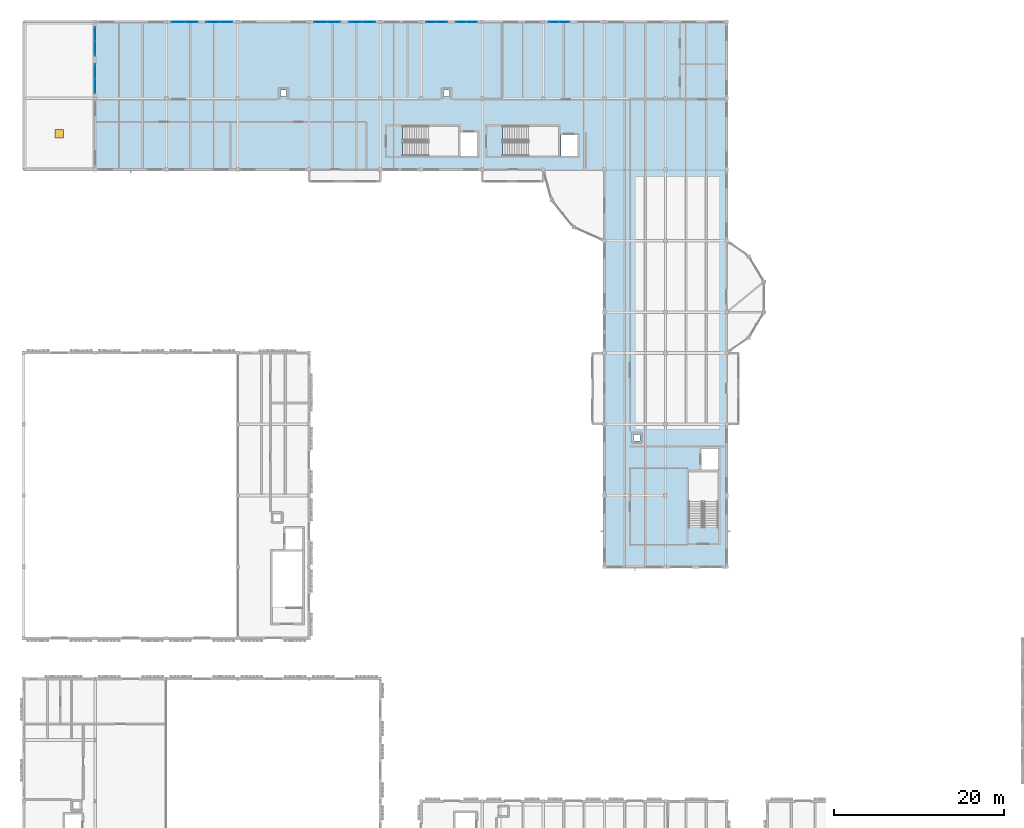
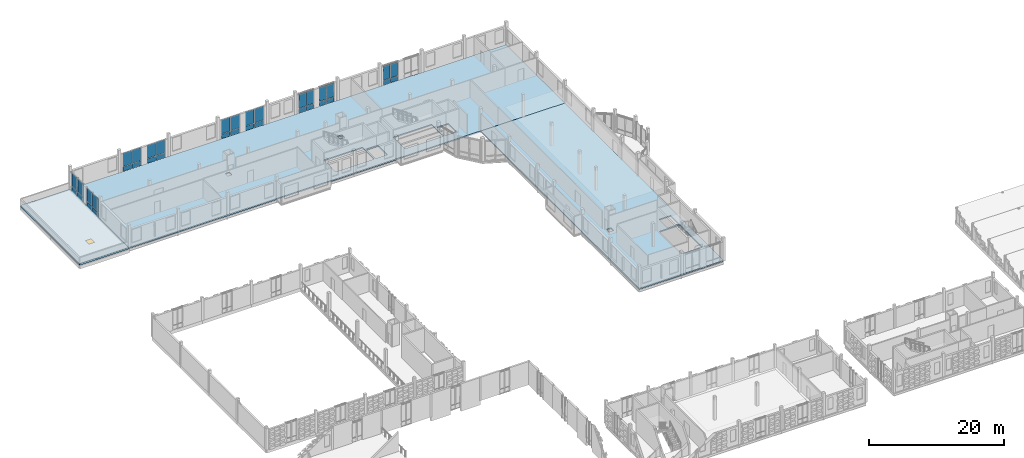
# One storey, part 39 of 81: 36 plates, 3 slabs, 1 door, 1 opening, 9 elements without a shape of their own.
"""IFC4 building model written with IfcOpenShell, lengths in metres."""

from ifc_helpers import new_model, si_unit, direction, frame, origin, origin_2d, place, context, subcontext, project, spatial, polyline, rectangle, outline, extrude, material, layer, layer_set, type_object, element, fill, aggregate, save


model = new_model("IFC4")

# Units and contexts
model_context = context("Model", 3, precision=1e-05, world=origin(), true_north=direction((0.0, 1.0)))
body_context = subcontext(model_context, "Body", "Model", "MODEL_VIEW")
ifc_project = project(units=[si_unit("LENGTHUNIT", "METRE"), si_unit("AREAUNIT", "SQUARE_METRE"), si_unit("VOLUMEUNIT", "CUBIC_METRE"), si_unit("PLANEANGLEUNIT", "RADIAN"), si_unit("MASSUNIT", "GRAM", prefix="KILO")], contexts=[model_context])

# Site, building, storey
site_placement = place(None, origin())
site = spatial("IfcSite", under=ifc_project, at=site_placement, CompositionType="ELEMENT")
building_placement = place(site_placement, origin())
building = spatial("IfcBuilding", under=site, at=building_placement, Name="Kahlenmark Community Centre", CompositionType="ELEMENT")
storey_placement = place(building_placement, frame((0.0, 0.0, 9.60009765625)))
storey = spatial("IfcBuildingStorey", under=building, at=storey_placement, Name="L02", CompositionType="ELEMENT", Elevation=9.60009765625)

# Curtain wall, plates
ifc_material_1 = material(Name="Anodised aluminium unitised curtain wall", Category="aluminium")
curtain_wall_type_1 = type_object("IfcCurtainWallType", Name="CWT-UNIT-254X345", PredefinedType="USERDEFINED", material=ifc_material_1)
curtain_wall_1_placement = place(storey_placement, origin())
curtain_wall_1 = element("IfcCurtainWall", 1, at=curtain_wall_1_placement, inside=storey, type_object=curtain_wall_type_1, Name="Unitised curtain wall CW-093", ObjectType="UNITISED CURTAIN WALL", PredefinedType="USERDEFINED")
ifc_material_2 = material(Name="Triple low-e solar-control glass unit", Category="glass")
ifc_layer_1 = layer(ifc_material_2, 0.0439453125)
ifc_layer_set_1 = layer_set([ifc_layer_1], Name="Triple low-e solar-control glass unit")
plate_type_1 = type_object("IfcPlateType", Name="PLT-CW-GLZ-1190X2520", PredefinedType="CURTAIN_PANEL", material=ifc_layer_set_1)
plate_1_placement = place(storey_placement, frame((56.784912109375, 115.0, 0.889892578125), z_axis=(0.0, 0.0, 1.0), x_axis=(-1.0, 0.0, 0.0)))
plate_1 = element("IfcPlate", 2, at=plate_1_placement, type_object=plate_type_1, Name="CW-093 glazed panel 1", PredefinedType="CURTAIN_PANEL", context=body_context, shape_type="SweptSolid", body=[
    extrude(rectangle(XDim=1.18994140625, YDim=0.0439453125, at=origin_2d()), origin(), (0.0, 0.0, 1.0), 2.52001953125),
])
plate_2_placement = place(storey_placement, frame((55.514892578125, 115.0, 0.889892578125), z_axis=(0.0, 0.0, 1.0), x_axis=(-1.0, 0.0, 0.0)))
plate_2 = element("IfcPlate", 3, at=plate_2_placement, type_object=plate_type_1, Name="CW-093 glazed panel 2", PredefinedType="CURTAIN_PANEL", context=body_context, shape_type="SweptSolid", body=[
    extrude(rectangle(XDim=1.18994140625, YDim=0.0439453125, at=origin_2d()), origin(), (0.0, 0.0, 1.0), 2.52001953125),
])

curtain_wall_2_placement = place(storey_placement, origin())
curtain_wall_2 = element("IfcCurtainWall", 4, at=curtain_wall_2_placement, inside=storey, type_object=curtain_wall_type_1, Name="Unitised curtain wall CW-094", ObjectType="UNITISED CURTAIN WALL", PredefinedType="USERDEFINED")
plate_3_placement = place(storey_placement, frame((53.284912109375, 115.0, 0.889892578125), z_axis=(0.0, 0.0, 1.0), x_axis=(-1.0, 0.0, 0.0)))
plate_3 = element("IfcPlate", 5, at=plate_3_placement, type_object=plate_type_1, Name="CW-094 glazed panel 1", PredefinedType="CURTAIN_PANEL", context=body_context, shape_type="SweptSolid", body=[
    extrude(rectangle(XDim=1.18994140625, YDim=0.0439453125, at=origin_2d()), origin(), (0.0, 0.0, 1.0), 2.52001953125),
])
plate_4_placement = place(storey_placement, frame((52.014892578125, 115.0, 0.889892578125), z_axis=(0.0, 0.0, 1.0), x_axis=(-1.0, 0.0, 0.0)))
plate_4 = element("IfcPlate", 6, at=plate_4_placement, type_object=plate_type_1, Name="CW-094 glazed panel 2", PredefinedType="CURTAIN_PANEL", context=body_context, shape_type="SweptSolid", body=[
    extrude(rectangle(XDim=1.18994140625, YDim=0.0439453125, at=origin_2d()), origin(), (0.0, 0.0, 1.0), 2.52001953125),
])

curtain_wall_3_placement = place(storey_placement, origin())
curtain_wall_3 = element("IfcCurtainWall", 7, at=curtain_wall_3_placement, inside=storey, type_object=curtain_wall_type_1, Name="Unitised curtain wall CW-096", ObjectType="UNITISED CURTAIN WALL", PredefinedType="USERDEFINED")
plate_5_placement = place(storey_placement, frame((67.68505859375, 115.0, 0.889892578125), z_axis=(0.0, 0.0, 1.0), x_axis=(-1.0, 0.0, 0.0)))
plate_5 = element("IfcPlate", 8, at=plate_5_placement, type_object=plate_type_1, Name="CW-096 glazed panel 1", PredefinedType="CURTAIN_PANEL", context=body_context, shape_type="SweptSolid", body=[
    extrude(rectangle(XDim=1.18994140625, YDim=0.0439453125, at=origin_2d()), origin(), (0.0, 0.0, 1.0), 2.52001953125),
])
plate_6_placement = place(storey_placement, frame((66.4150390625, 115.0, 0.889892578125), z_axis=(0.0, 0.0, 1.0), x_axis=(-1.0, 0.0, 0.0)))
plate_6 = element("IfcPlate", 9, at=plate_6_placement, type_object=plate_type_1, Name="CW-096 glazed panel 2", PredefinedType="CURTAIN_PANEL", context=body_context, shape_type="SweptSolid", body=[
    extrude(rectangle(XDim=1.18994140625, YDim=0.0439453125, at=origin_2d()), origin(), (0.0, 0.0, 1.0), 2.52001953125),
])

curtain_wall_type_2 = type_object("IfcCurtainWallType", Name="CWT-UNIT-314X331", PredefinedType="USERDEFINED", material=ifc_material_1)
curtain_wall_4_placement = place(storey_placement, origin())
curtain_wall_4 = element("IfcCurtainWall", 10, at=curtain_wall_4_placement, inside=storey, type_object=curtain_wall_type_2, Name="Unitised curtain wall CW-089", ObjectType="UNITISED CURTAIN WALL", PredefinedType="USERDEFINED")
ifc_layer_2 = layer(ifc_material_2, 0.0439453125)
ifc_layer_set_2 = layer_set([ifc_layer_2], Name="Triple low-e solar-control glass unit")
plate_type_2 = type_object("IfcPlateType", Name="PLT-CW-GLZ-1490X2380", PredefinedType="CURTAIN_PANEL", material=ifc_layer_set_2)
plate_7_placement = place(storey_placement, frame((27.8349609375, 115.0, 0.889892578125), z_axis=(0.0, 0.0, 1.0), x_axis=(-1.0, 0.0, 0.0)))
plate_7 = element("IfcPlate", 11, at=plate_7_placement, type_object=plate_type_2, Name="CW-089 glazed panel 1", PredefinedType="CURTAIN_PANEL", context=body_context, shape_type="SweptSolid", body=[
    extrude(rectangle(XDim=1.489990234375, YDim=0.0439453125, at=origin_2d()), origin(), (0.0, 0.0, 1.0), 2.3798828125),
])
plate_8_placement = place(storey_placement, frame((26.264892578125, 115.0, 0.889892578125), z_axis=(0.0, 0.0, 1.0), x_axis=(-1.0, 0.0, 0.0)))
plate_8 = element("IfcPlate", 12, at=plate_8_placement, type_object=plate_type_2, Name="CW-089 glazed panel 2", PredefinedType="CURTAIN_PANEL", context=body_context, shape_type="SweptSolid", body=[
    extrude(rectangle(XDim=1.489990234375, YDim=0.0439453125, at=origin_2d()), origin(), (0.0, 0.0, 1.0), 2.3798828125),
])

curtain_wall_5_placement = place(storey_placement, origin())
curtain_wall_5 = element("IfcCurtainWall", 13, at=curtain_wall_5_placement, inside=storey, type_object=curtain_wall_type_2, Name="Unitised curtain wall CW-090", ObjectType="UNITISED CURTAIN WALL", PredefinedType="USERDEFINED")
plate_9_placement = place(storey_placement, frame((23.735107421875, 115.0, 0.889892578125), z_axis=(0.0, 0.0, 1.0), x_axis=(-1.0, 0.0, 0.0)))
plate_9 = element("IfcPlate", 14, at=plate_9_placement, type_object=plate_type_2, Name="CW-090 glazed panel 1", PredefinedType="CURTAIN_PANEL", context=body_context, shape_type="SweptSolid", body=[
    extrude(rectangle(XDim=1.489990234375, YDim=0.0439453125, at=origin_2d()), origin(), (0.0, 0.0, 1.0), 2.3798828125),
])
plate_10_placement = place(storey_placement, frame((22.1650390625, 115.0, 0.889892578125), z_axis=(0.0, 0.0, 1.0), x_axis=(-1.0, 0.0, 0.0)))
plate_10 = element("IfcPlate", 15, at=plate_10_placement, type_object=plate_type_2, Name="CW-090 glazed panel 2", PredefinedType="CURTAIN_PANEL", context=body_context, shape_type="SweptSolid", body=[
    extrude(rectangle(XDim=1.489990234375, YDim=0.0439453125, at=origin_2d()), origin(), (0.0, 0.0, 1.0), 2.3798828125),
])

curtain_wall_type_3 = type_object("IfcCurtainWallType", Name="CWT-UNIT-314X345", PredefinedType="USERDEFINED", material=ifc_material_1)
curtain_wall_6_placement = place(storey_placement, origin())
curtain_wall_6 = element("IfcCurtainWall", 16, at=curtain_wall_6_placement, inside=storey, type_object=curtain_wall_type_3, Name="Unitised curtain wall CW-091", ObjectType="UNITISED CURTAIN WALL", PredefinedType="USERDEFINED")
ifc_layer_3 = layer(ifc_material_2, 0.0439453125)
ifc_layer_set_3 = layer_set([ifc_layer_3], Name="Triple low-e solar-control glass unit")
plate_type_3 = type_object("IfcPlateType", Name="PLT-CW-GLZ-1490X2520", PredefinedType="CURTAIN_PANEL", material=ifc_layer_set_3)
plate_11_placement = place(storey_placement, frame((44.635009765625, 115.0, 0.889892578125), z_axis=(0.0, 0.0, 1.0), x_axis=(-1.0, 0.0, 0.0)))
plate_11 = element("IfcPlate", 17, at=plate_11_placement, type_object=plate_type_3, Name="CW-091 glazed panel 1", PredefinedType="CURTAIN_PANEL", context=body_context, shape_type="SweptSolid", body=[
    extrude(rectangle(XDim=1.489990234375, YDim=0.0439453125, at=origin_2d()), origin(), (0.0, 0.0, 1.0), 2.52001953125),
])
plate_12_placement = place(storey_placement, frame((43.06494140625, 115.0, 0.889892578125), z_axis=(0.0, 0.0, 1.0), x_axis=(-1.0, 0.0, 0.0)))
plate_12 = element("IfcPlate", 18, at=plate_12_placement, type_object=plate_type_3, Name="CW-091 glazed panel 2", PredefinedType="CURTAIN_PANEL", context=body_context, shape_type="SweptSolid", body=[
    extrude(rectangle(XDim=1.489990234375, YDim=0.0439453125, at=origin_2d()), origin(), (0.0, 0.0, 1.0), 2.52001953125),
])

curtain_wall_7_placement = place(storey_placement, origin())
curtain_wall_7 = element("IfcCurtainWall", 19, at=curtain_wall_7_placement, inside=storey, type_object=curtain_wall_type_3, Name="Unitised curtain wall CW-092", ObjectType="UNITISED CURTAIN WALL", PredefinedType="USERDEFINED")
plate_13_placement = place(storey_placement, frame((40.534912109375, 115.0, 0.889892578125), z_axis=(0.0, 0.0, 1.0), x_axis=(-1.0, 0.0, 0.0)))
plate_13 = element("IfcPlate", 20, at=plate_13_placement, type_object=plate_type_3, Name="CW-092 glazed panel 1", PredefinedType="CURTAIN_PANEL", context=body_context, shape_type="SweptSolid", body=[
    extrude(rectangle(XDim=1.489990234375, YDim=0.0439453125, at=origin_2d()), origin(), (0.0, 0.0, 1.0), 2.52001953125),
])
plate_14_placement = place(storey_placement, frame((38.965087890625, 115.0, 0.889892578125), z_axis=(0.0, 0.0, 1.0), x_axis=(-1.0, 0.0, 0.0)))
plate_14 = element("IfcPlate", 21, at=plate_14_placement, type_object=plate_type_3, Name="CW-092 glazed panel 2", PredefinedType="CURTAIN_PANEL", context=body_context, shape_type="SweptSolid", body=[
    extrude(rectangle(XDim=1.489990234375, YDim=0.0439453125, at=origin_2d()), origin(), (0.0, 0.0, 1.0), 2.52001953125),
])

curtain_wall_type_4 = type_object("IfcCurtainWallType", Name="CWT-UNIT-344X331", PredefinedType="USERDEFINED", material=ifc_material_1)
curtain_wall_8_placement = place(storey_placement, origin())
curtain_wall_8 = element("IfcCurtainWall", 22, at=curtain_wall_8_placement, inside=storey, type_object=curtain_wall_type_4, Name="Unitised curtain wall CW-097", ObjectType="UNITISED CURTAIN WALL", PredefinedType="USERDEFINED")
ifc_layer_4 = layer(ifc_material_2, 0.0439453125)
ifc_layer_set_4 = layer_set([ifc_layer_4], Name="Triple low-e solar-control glass unit")
plate_type_4 = type_object("IfcPlateType", Name="PLT-CW-GLZ-1640X2380", PredefinedType="CURTAIN_PANEL", material=ifc_layer_set_4)
plate_15_placement = place(storey_placement, frame((12.39990234375, 113.56005859375, 0.889892578125), z_axis=(0.0, 0.0, 1.0), x_axis=(0.0, -1.0, 0.0)))
plate_15 = element("IfcPlate", 23, at=plate_15_placement, type_object=plate_type_4, Name="CW-097 glazed panel 1", PredefinedType="CURTAIN_PANEL", context=body_context, shape_type="SweptSolid", body=[
    extrude(rectangle(XDim=1.639892578125, YDim=0.0439453125, at=origin_2d()), origin(), (0.0, 0.0, 1.0), 2.3798828125),
])
plate_16_placement = place(storey_placement, frame((12.39990234375, 111.840087890625, 0.889892578125), z_axis=(0.0, 0.0, 1.0), x_axis=(0.0, -1.0, 0.0)))
plate_16 = element("IfcPlate", 24, at=plate_16_placement, type_object=plate_type_4, Name="CW-097 glazed panel 2", PredefinedType="CURTAIN_PANEL", context=body_context, shape_type="SweptSolid", body=[
    extrude(rectangle(XDim=1.639892578125, YDim=0.0439453125, at=origin_2d()), origin(), (0.0, 0.0, 1.0), 2.3798828125),
])

curtain_wall_9_placement = place(storey_placement, origin())
curtain_wall_9 = element("IfcCurtainWall", 25, at=curtain_wall_9_placement, inside=storey, type_object=curtain_wall_type_4, Name="Unitised curtain wall CW-098", ObjectType="UNITISED CURTAIN WALL", PredefinedType="USERDEFINED")
plate_17_placement = place(storey_placement, frame((12.39990234375, 109.159912109375, 0.889892578125), z_axis=(0.0, 0.0, 1.0), x_axis=(0.0, -1.0, 0.0)))
plate_17 = element("IfcPlate", 26, at=plate_17_placement, type_object=plate_type_4, Name="CW-098 glazed panel 1", PredefinedType="CURTAIN_PANEL", context=body_context, shape_type="SweptSolid", body=[
    extrude(rectangle(XDim=1.639892578125, YDim=0.0439453125, at=origin_2d()), origin(), (0.0, 0.0, 1.0), 2.3798828125),
])
plate_18_placement = place(storey_placement, frame((12.39990234375, 107.43994140625, 0.889892578125), z_axis=(0.0, 0.0, 1.0), x_axis=(0.0, -1.0, 0.0)))
plate_18 = element("IfcPlate", 27, at=plate_18_placement, type_object=plate_type_4, Name="CW-098 glazed panel 2", PredefinedType="CURTAIN_PANEL", context=body_context, shape_type="SweptSolid", body=[
    extrude(rectangle(XDim=1.639892578125, YDim=0.0439453125, at=origin_2d()), origin(), (0.0, 0.0, 1.0), 2.3798828125),
])

# Plate
ifc_material_3 = material(Name="Warm terracotta insulated spandrel cassette", Category="masonry")
ifc_layer_5 = layer(ifc_material_3, 0.06005859375)
ifc_layer_set_5 = layer_set([ifc_layer_5], Name="Warm terracotta insulated spandrel cassette")
plate_type_5 = type_object("IfcPlateType", Name="PLT-CW-SPD-1190X770", PredefinedType="CURTAIN_PANEL", material=ifc_layer_set_5)
plate_19_placement = place(storey_placement, frame((56.784912109375, 115.0, 0.039794921875), z_axis=(0.0, 0.0, 1.0), x_axis=(-1.0, 0.0, 0.0)))
plate_19 = element("IfcPlate", 28, at=plate_19_placement, type_object=plate_type_5, Name="CW-093 spandrel 1", PredefinedType="CURTAIN_PANEL", context=body_context, shape_type="SweptSolid", body=[
    extrude(rectangle(XDim=1.18994140625, YDim=0.06005859375, at=origin_2d()), origin(), (0.0, 0.0, 1.0), 0.77001953125),
])

plate_20_placement = place(storey_placement, frame((55.514892578125, 115.0, 0.039794921875), z_axis=(0.0, 0.0, 1.0), x_axis=(-1.0, 0.0, 0.0)))
plate_20 = element("IfcPlate", 29, at=plate_20_placement, type_object=plate_type_5, Name="CW-093 spandrel 2", PredefinedType="CURTAIN_PANEL", context=body_context, shape_type="SweptSolid", body=[
    extrude(rectangle(XDim=1.18994140625, YDim=0.06005859375, at=origin_2d()), origin(), (0.0, 0.0, 1.0), 0.77001953125),
])

aggregate(curtain_wall_1, [plate_19, plate_1, plate_20, plate_2])

plate_21_placement = place(storey_placement, frame((53.284912109375, 115.0, 0.039794921875), z_axis=(0.0, 0.0, 1.0), x_axis=(-1.0, 0.0, 0.0)))
plate_21 = element("IfcPlate", 30, at=plate_21_placement, type_object=plate_type_5, Name="CW-094 spandrel 1", PredefinedType="CURTAIN_PANEL", context=body_context, shape_type="SweptSolid", body=[
    extrude(rectangle(XDim=1.18994140625, YDim=0.06005859375, at=origin_2d()), origin(), (0.0, 0.0, 1.0), 0.77001953125),
])

plate_22_placement = place(storey_placement, frame((52.014892578125, 115.0, 0.039794921875), z_axis=(0.0, 0.0, 1.0), x_axis=(-1.0, 0.0, 0.0)))
plate_22 = element("IfcPlate", 31, at=plate_22_placement, type_object=plate_type_5, Name="CW-094 spandrel 2", PredefinedType="CURTAIN_PANEL", context=body_context, shape_type="SweptSolid", body=[
    extrude(rectangle(XDim=1.18994140625, YDim=0.06005859375, at=origin_2d()), origin(), (0.0, 0.0, 1.0), 0.77001953125),
])

aggregate(curtain_wall_2, [plate_21, plate_3, plate_22, plate_4])

plate_23_placement = place(storey_placement, frame((67.68505859375, 115.0, 0.039794921875), z_axis=(0.0, 0.0, 1.0), x_axis=(-1.0, 0.0, 0.0)))
plate_23 = element("IfcPlate", 32, at=plate_23_placement, type_object=plate_type_5, Name="CW-096 spandrel 1", PredefinedType="CURTAIN_PANEL", context=body_context, shape_type="SweptSolid", body=[
    extrude(rectangle(XDim=1.18994140625, YDim=0.06005859375, at=origin_2d()), origin(), (0.0, 0.0, 1.0), 0.77001953125),
])

plate_24_placement = place(storey_placement, frame((66.4150390625, 115.0, 0.039794921875), z_axis=(0.0, 0.0, 1.0), x_axis=(-1.0, 0.0, 0.0)))
plate_24 = element("IfcPlate", 33, at=plate_24_placement, type_object=plate_type_5, Name="CW-096 spandrel 2", PredefinedType="CURTAIN_PANEL", context=body_context, shape_type="SweptSolid", body=[
    extrude(rectangle(XDim=1.18994140625, YDim=0.06005859375, at=origin_2d()), origin(), (0.0, 0.0, 1.0), 0.77001953125),
])

aggregate(curtain_wall_3, [plate_23, plate_5, plate_24, plate_6])

ifc_layer_6 = layer(ifc_material_3, 0.06005859375)
ifc_layer_set_6 = layer_set([ifc_layer_6], Name="Warm terracotta insulated spandrel cassette")
plate_type_6 = type_object("IfcPlateType", Name="PLT-CW-SPD-1490X770", PredefinedType="CURTAIN_PANEL", material=ifc_layer_set_6)
plate_25_placement = place(storey_placement, frame((27.8349609375, 115.0, 0.039794921875), z_axis=(0.0, 0.0, 1.0), x_axis=(-1.0, 0.0, 0.0)))
plate_25 = element("IfcPlate", 34, at=plate_25_placement, type_object=plate_type_6, Name="CW-089 spandrel 1", PredefinedType="CURTAIN_PANEL", context=body_context, shape_type="SweptSolid", body=[
    extrude(rectangle(XDim=1.489990234375, YDim=0.06005859375, at=origin_2d()), origin(), (0.0, 0.0, 1.0), 0.77001953125),
])

plate_26_placement = place(storey_placement, frame((26.264892578125, 115.0, 0.039794921875), z_axis=(0.0, 0.0, 1.0), x_axis=(-1.0, 0.0, 0.0)))
plate_26 = element("IfcPlate", 35, at=plate_26_placement, type_object=plate_type_6, Name="CW-089 spandrel 2", PredefinedType="CURTAIN_PANEL", context=body_context, shape_type="SweptSolid", body=[
    extrude(rectangle(XDim=1.489990234375, YDim=0.06005859375, at=origin_2d()), origin(), (0.0, 0.0, 1.0), 0.77001953125),
])

aggregate(curtain_wall_4, [plate_25, plate_7, plate_26, plate_8])

plate_27_placement = place(storey_placement, frame((23.735107421875, 115.0, 0.039794921875), z_axis=(0.0, 0.0, 1.0), x_axis=(-1.0, 0.0, 0.0)))
plate_27 = element("IfcPlate", 36, at=plate_27_placement, type_object=plate_type_6, Name="CW-090 spandrel 1", PredefinedType="CURTAIN_PANEL", context=body_context, shape_type="SweptSolid", body=[
    extrude(rectangle(XDim=1.489990234375, YDim=0.06005859375, at=origin_2d()), origin(), (0.0, 0.0, 1.0), 0.77001953125),
])

plate_28_placement = place(storey_placement, frame((22.1650390625, 115.0, 0.039794921875), z_axis=(0.0, 0.0, 1.0), x_axis=(-1.0, 0.0, 0.0)))
plate_28 = element("IfcPlate", 37, at=plate_28_placement, type_object=plate_type_6, Name="CW-090 spandrel 2", PredefinedType="CURTAIN_PANEL", context=body_context, shape_type="SweptSolid", body=[
    extrude(rectangle(XDim=1.489990234375, YDim=0.06005859375, at=origin_2d()), origin(), (0.0, 0.0, 1.0), 0.77001953125),
])

aggregate(curtain_wall_5, [plate_27, plate_9, plate_28, plate_10])

plate_29_placement = place(storey_placement, frame((44.635009765625, 115.0, 0.039794921875), z_axis=(0.0, 0.0, 1.0), x_axis=(-1.0, 0.0, 0.0)))
plate_29 = element("IfcPlate", 38, at=plate_29_placement, type_object=plate_type_6, Name="CW-091 spandrel 1", PredefinedType="CURTAIN_PANEL", context=body_context, shape_type="SweptSolid", body=[
    extrude(rectangle(XDim=1.489990234375, YDim=0.06005859375, at=origin_2d()), origin(), (0.0, 0.0, 1.0), 0.77001953125),
])

plate_30_placement = place(storey_placement, frame((43.06494140625, 115.0, 0.039794921875), z_axis=(0.0, 0.0, 1.0), x_axis=(-1.0, 0.0, 0.0)))
plate_30 = element("IfcPlate", 39, at=plate_30_placement, type_object=plate_type_6, Name="CW-091 spandrel 2", PredefinedType="CURTAIN_PANEL", context=body_context, shape_type="SweptSolid", body=[
    extrude(rectangle(XDim=1.489990234375, YDim=0.06005859375, at=origin_2d()), origin(), (0.0, 0.0, 1.0), 0.77001953125),
])

aggregate(curtain_wall_6, [plate_29, plate_11, plate_30, plate_12])

plate_31_placement = place(storey_placement, frame((40.534912109375, 115.0, 0.039794921875), z_axis=(0.0, 0.0, 1.0), x_axis=(-1.0, 0.0, 0.0)))
plate_31 = element("IfcPlate", 40, at=plate_31_placement, type_object=plate_type_6, Name="CW-092 spandrel 1", PredefinedType="CURTAIN_PANEL", context=body_context, shape_type="SweptSolid", body=[
    extrude(rectangle(XDim=1.489990234375, YDim=0.06005859375, at=origin_2d()), origin(), (0.0, 0.0, 1.0), 0.77001953125),
])

plate_32_placement = place(storey_placement, frame((38.965087890625, 115.0, 0.039794921875), z_axis=(0.0, 0.0, 1.0), x_axis=(-1.0, 0.0, 0.0)))
plate_32 = element("IfcPlate", 41, at=plate_32_placement, type_object=plate_type_6, Name="CW-092 spandrel 2", PredefinedType="CURTAIN_PANEL", context=body_context, shape_type="SweptSolid", body=[
    extrude(rectangle(XDim=1.489990234375, YDim=0.06005859375, at=origin_2d()), origin(), (0.0, 0.0, 1.0), 0.77001953125),
])

aggregate(curtain_wall_7, [plate_31, plate_13, plate_32, plate_14])

ifc_layer_7 = layer(ifc_material_3, 0.06005859375)
ifc_layer_set_7 = layer_set([ifc_layer_7], Name="Warm terracotta insulated spandrel cassette")
plate_type_7 = type_object("IfcPlateType", Name="PLT-CW-SPD-1640X770", PredefinedType="CURTAIN_PANEL", material=ifc_layer_set_7)
plate_33_placement = place(storey_placement, frame((12.39990234375, 113.56005859375, 0.039794921875), z_axis=(0.0, 0.0, 1.0), x_axis=(0.0, -1.0, 0.0)))
plate_33 = element("IfcPlate", 42, at=plate_33_placement, type_object=plate_type_7, Name="CW-097 spandrel 1", PredefinedType="CURTAIN_PANEL", context=body_context, shape_type="SweptSolid", body=[
    extrude(rectangle(XDim=1.639892578125, YDim=0.06005859375, at=origin_2d()), origin(), (0.0, 0.0, 1.0), 0.77001953125),
])

plate_34_placement = place(storey_placement, frame((12.39990234375, 111.840087890625, 0.039794921875), z_axis=(0.0, 0.0, 1.0), x_axis=(0.0, -1.0, 0.0)))
plate_34 = element("IfcPlate", 43, at=plate_34_placement, type_object=plate_type_7, Name="CW-097 spandrel 2", PredefinedType="CURTAIN_PANEL", context=body_context, shape_type="SweptSolid", body=[
    extrude(rectangle(XDim=1.639892578125, YDim=0.06005859375, at=origin_2d()), origin(), (0.0, 0.0, 1.0), 0.77001953125),
])

aggregate(curtain_wall_8, [plate_33, plate_15, plate_34, plate_16])

plate_35_placement = place(storey_placement, frame((12.39990234375, 109.159912109375, 0.039794921875), z_axis=(0.0, 0.0, 1.0), x_axis=(0.0, -1.0, 0.0)))
plate_35 = element("IfcPlate", 44, at=plate_35_placement, type_object=plate_type_7, Name="CW-098 spandrel 1", PredefinedType="CURTAIN_PANEL", context=body_context, shape_type="SweptSolid", body=[
    extrude(rectangle(XDim=1.639892578125, YDim=0.06005859375, at=origin_2d()), origin(), (0.0, 0.0, 1.0), 0.77001953125),
])

plate_36_placement = place(storey_placement, frame((12.39990234375, 107.43994140625, 0.039794921875), z_axis=(0.0, 0.0, 1.0), x_axis=(0.0, -1.0, 0.0)))
plate_36 = element("IfcPlate", 45, at=plate_36_placement, type_object=plate_type_7, Name="CW-098 spandrel 2", PredefinedType="CURTAIN_PANEL", context=body_context, shape_type="SweptSolid", body=[
    extrude(rectangle(XDim=1.639892578125, YDim=0.06005859375, at=origin_2d()), origin(), (0.0, 0.0, 1.0), 0.77001953125),
])

aggregate(curtain_wall_9, [plate_35, plate_17, plate_36, plate_18])

# Slabs
ifc_material_4 = material(Name="Cross-laminated timber CLT C24", Category="wood")
ifc_layer_8 = layer(ifc_material_4, 0.219970703125)
ifc_layer_set_8 = layer_set([ifc_layer_8], Name="Cross-laminated timber CLT C24")
slab_type_1 = type_object("IfcSlabType", Name="ST-FL-CLT220", PredefinedType="FLOOR", material=ifc_layer_set_8)
slab_1_placement = place(storey_placement, frame((0.0, 0.0, -0.22021484375)))
element("IfcSlab", 46, at=slab_1_placement, inside=storey, type_object=slab_type_1, Name="L02 suspended floor slab V4N", PredefinedType="FLOOR", context=body_context, shape_type="SweptSolid", body=[
    extrude(outline(polyline([(12.39990234375, 97.60009765625), (86.800048828125, 97.60009765625), (86.800048828125, 115.0), (12.39990234375, 115.0), (12.39990234375, 97.60009765625)]), holes=[polyline([(48.60595703125, 99.2060546875), (55.194091796875, 99.2060546875), (55.194091796875, 102.694091796875), (48.60595703125, 102.694091796875), (48.60595703125, 99.2060546875)]), polyline([(60.406005859375, 99.2060546875), (66.993896484375, 99.2060546875), (66.993896484375, 102.694091796875), (60.406005859375, 102.694091796875), (60.406005859375, 99.2060546875)]), polyline([(55.4560546875, 99.2060546875), (57.404052734375, 99.2060546875), (57.404052734375, 101.9541015625), (55.4560546875, 101.9541015625), (55.4560546875, 99.2060546875)]), polyline([(67.256103515625, 99.2060546875), (69.2041015625, 99.2060546875), (69.2041015625, 101.654052734375), (67.256103515625, 101.654052734375), (67.256103515625, 99.2060546875)]), polyline([(34.22607421875, 106.22607421875), (34.97412109375, 106.22607421875), (34.97412109375, 106.97412109375), (34.22607421875, 106.97412109375), (34.22607421875, 106.22607421875)]), polyline([(53.426025390625, 106.22607421875), (54.174072265625, 106.22607421875), (54.174072265625, 106.97412109375), (53.426025390625, 106.97412109375), (53.426025390625, 106.22607421875)])]), origin(), (0.0, 0.0, 1.0), 0.22021484375),
])
slab_2_placement = place(storey_placement, frame((0.0, 0.0, -0.22021484375)))
element("IfcSlab", 47, at=slab_2_placement, inside=storey, type_object=slab_type_1, Name="L02 suspended floor slab V4C", PredefinedType="FLOOR", context=body_context, shape_type="SweptSolid", body=[
    extrude(outline(polyline([(72.39990234375, 50.800048828125), (86.800048828125, 50.800048828125), (86.800048828125, 97.60009765625), (72.39990234375, 97.60009765625), (72.39990234375, 50.800048828125)]), holes=[polyline([(82.305908203125, 55.406005859375), (85.7939453125, 55.406005859375), (85.7939453125, 61.993896484375), (82.305908203125, 61.993896484375), (82.305908203125, 55.406005859375)]), polyline([(83.845947265625, 62.256103515625), (85.7939453125, 62.256103515625), (85.7939453125, 64.7041015625), (83.845947265625, 64.7041015625), (83.845947265625, 62.256103515625)]), polyline([(75.825927734375, 65.6259765625), (76.573974609375, 65.6259765625), (76.573974609375, 66.3740234375), (75.825927734375, 66.3740234375), (75.825927734375, 65.6259765625)])]), origin(), (0.0, 0.0, 1.0), 0.22021484375),
])

# Slab, opening, door
ifc_layer_9 = layer(ifc_material_4, 0.280029296875)
ifc_layer_set_9 = layer_set([ifc_layer_9], Name="Cross-laminated timber CLT C24")
slab_type_2 = type_object("IfcSlabType", Name="ST-RF-FLAT280", PredefinedType="ROOF", material=ifc_layer_set_9)
slab_3_placement = place(storey_placement, frame((0.0, 0.0, -0.280029296875)))
slab_3 = element("IfcSlab", 48, at=slab_3_placement, inside=storey, type_object=slab_type_2, Name="Flat insulated roof deck RF-L02-V4NWEST0", PredefinedType="ROOF", context=body_context, shape_type="SweptSolid", body=[
    extrude(outline(polyline([(4.0, 97.60009765625), (12.39990234375, 97.60009765625), (12.39990234375, 115.0), (4.0, 115.0), (4.0, 97.60009765625)])), origin(), (0.0, 0.0, 1.0), 0.280029296875),
])
opening_placement = place(slab_3_placement, frame((8.199951171875, 101.800048828125, -0.010009765625)))
opening = element("IfcOpeningElement", 49, at=opening_placement, cuts=slab_3, Name="Opening RH-100", PredefinedType="OPENING", context=body_context, shape_type="SweptSolid", body=[
    extrude(rectangle(XDim=1.0, YDim=1.0, at=origin_2d()), origin(), (0.0, 0.0, 1.0), 0.300048828125),
])
ifc_material_5 = material(Name="Insulated aluminium roof maintenance hatch", Category="aluminium")
door_type = type_object("IfcDoorType", Name="DT-HATCH-100X100", OperationType="NOTDEFINED", PredefinedType="TRAPDOOR", material=ifc_material_5)
door_placement = place(slab_3_placement, frame((8.199951171875, 101.800048828125, 0.22998046875)))
door = element("IfcDoor", 50, at=door_placement, inside=storey, type_object=door_type, Name="Roof maintenance hatch RH-01", OperationType="SINGLE_SWING_LEFT", OverallHeight=1.0, OverallWidth=1.0, PredefinedType="TRAPDOOR", context=body_context, shape_type="SweptSolid", body=[
    extrude(rectangle(XDim=1.0, YDim=1.0, at=origin_2d()), origin(), (0.0, 0.0, 1.0), 0.050048828125),
])
fill(opening, door)

save(model, "model.ifc")
